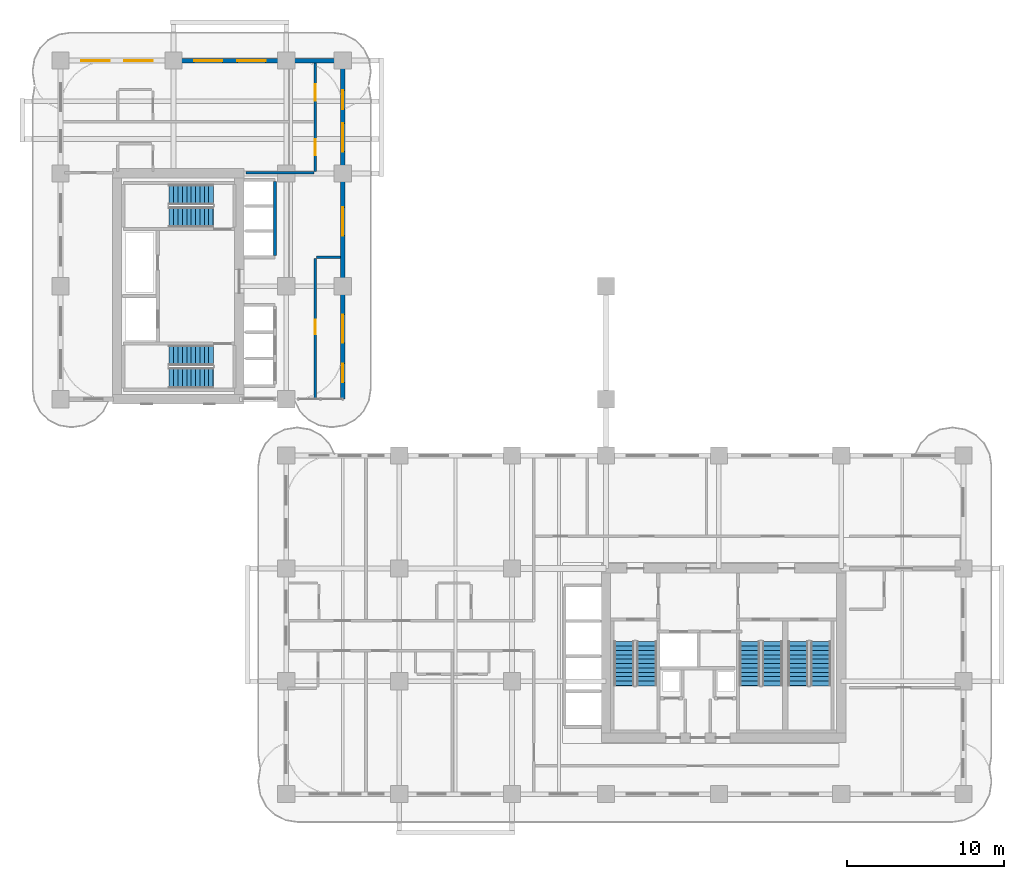
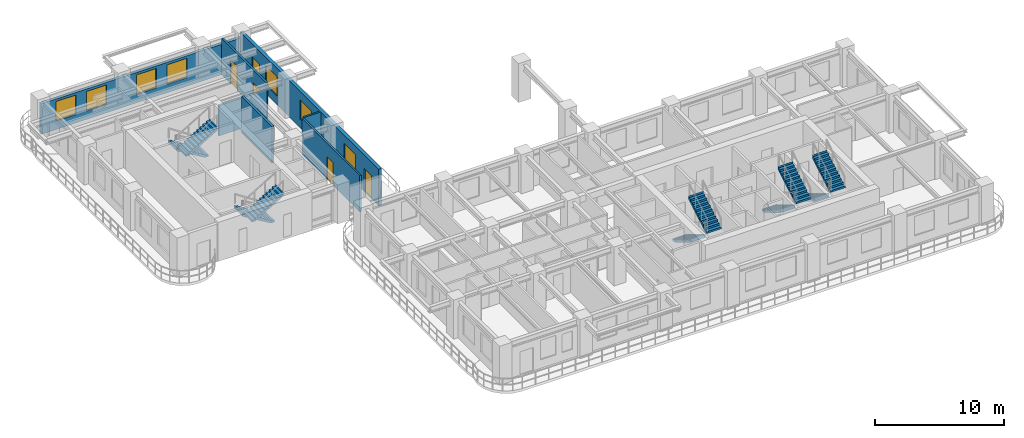
# One storey, part 11 of 18: 10 stair flights, 7 walls, 7 windows, 5 doors, 12 openings, 5 elements without a shape of their own.
"""IFC4 building model written with IfcOpenShell, lengths in metres."""

from ifc_helpers import new_model, si_unit, derived_unit, direction, frame, frame_2d, origin, place, context, subcontext, project, spatial, polyline, rectangle, outline, extrude, source, transform, mapped, material, layer, layer_set, type_object, type_shapes, element, fill, aggregate, save


model = new_model("IFC4")

# Units and contexts
model_context = context("Model", 3, precision=1e-05, world=origin(), true_north=direction((0.0, 1.0)))
body_context = subcontext(model_context, "Body", "Model", "MODEL_VIEW")
ifc_project = project(units=[si_unit("LENGTHUNIT", "METRE"), si_unit("AREAUNIT", "SQUARE_METRE"), si_unit("VOLUMEUNIT", "CUBIC_METRE"), si_unit("PLANEANGLEUNIT", "RADIAN"), si_unit("MASSUNIT", "GRAM", prefix="KILO"), si_unit("THERMODYNAMICTEMPERATUREUNIT", "KELVIN"), si_unit("POWERUNIT", "WATT"), derived_unit("THERMALTRANSMITTANCEUNIT", [(si_unit("POWERUNIT", "WATT"), 1), (si_unit("AREAUNIT", "SQUARE_METRE"), -1), (si_unit("THERMODYNAMICTEMPERATUREUNIT", "KELVIN"), -1)])], contexts=[model_context])

# Site, building, storey
site_placement = place(None, origin())
site = spatial("IfcSite", under=ifc_project, at=site_placement, CompositionType="ELEMENT")
building_placement = place(site_placement, origin())
building = spatial("IfcBuilding", under=site, at=building_placement, Name="Zahravan Archway Hotel and Residences", CompositionType="ELEMENT")
storey_placement = place(building_placement, frame((0.0, 0.0, 36.10009765625)))
storey = spatial("IfcBuildingStorey", under=building, at=storey_placement, Name="L07", CompositionType="ELEMENT", Elevation=36.10009765625)

# Wall, openings, doors, windows
ifc_material_1 = material(Name="Honed Red-Ochre Sandstone & Insulated Block", Category="masonry")
ifc_layer_1 = layer(ifc_material_1, 0.280029296875, Name="Honed Red-Ochre Sandstone & Insulated Block", Category="masonry")
ifc_layer_set_1 = layer_set([ifc_layer_1], Name="Honed Red-Ochre Sandstone & Insulated Block")
wall_type_1 = type_object("IfcWallType", Name="EW-LOG-280", PredefinedType="SOLIDWALL", material=ifc_layer_set_1)
wall_1_placement = place(storey_placement, frame((18.0, 25.199951171875, 0.0), z_axis=(0.0, 0.0, 1.0), x_axis=(0.0, 1.0, 0.0)))
wall_1 = element("IfcWall", 1, at=wall_1_placement, inside=storey, type_object=wall_type_1, Name="L07 Exterior Sandstone Wall WB-E", PredefinedType="SOLIDWALL", context=body_context, shape_type="SweptSolid", body=[
    extrude(rectangle(XDim=21.550048828125, YDim=0.280029296875, at=frame_2d((10.77490234375, 0.0))), origin(), (0.0, 0.0, 1.0), 3.449951171875),
])
opening_1_placement = place(wall_1_placement, frame((18.5, 0.0, 0.0)))
opening_1 = element("IfcOpeningElement", 2, at=opening_1_placement, cuts=wall_1, Name="Opening ED-BL1", PredefinedType="OPENING", context=body_context, shape_type="SweptSolid", body=[
    extrude(rectangle(XDim=1.199951171875, YDim=2.199951171875, at=frame_2d((0.60009765625, 1.10009765625))), frame((0.0, 0.14990234375, 0.0), z_axis=(0.0, -1.0, 0.0), x_axis=(1.0, 0.0, 0.0)), (0.0, 0.0, 1.0), 0.300048828125),
])
opening_2_placement = place(wall_1_placement, frame((1.070068359375, 0.0, 0.0)))
opening_2 = element("IfcOpeningElement", 3, at=opening_2_placement, cuts=wall_1, Name="Opening ED-BL1", PredefinedType="OPENING", context=body_context, shape_type="SweptSolid", body=[
    extrude(rectangle(XDim=1.199951171875, YDim=2.199951171875, at=frame_2d((0.60009765625, 1.10009765625))), frame((0.0, 0.14990234375, 0.0), z_axis=(0.0, -1.0, 0.0), x_axis=(1.0, 0.0, 0.0)), (0.0, 0.0, 1.0), 0.300048828125),
])
opening_3_placement = place(wall_1_placement, frame((3.5849609375, 0.0, 0.800048828125)))
opening_3 = element("IfcOpeningElement", 4, at=opening_3_placement, cuts=wall_1, Name="Opening W-02", PredefinedType="OPENING", context=body_context, shape_type="SweptSolid", body=[
    extrude(rectangle(XDim=1.800048828125, YDim=1.85009765625, at=frame_2d((0.89990234375, 0.925048828125))), frame((0.0, 0.14990234375, 0.0), z_axis=(0.0, -1.0, 0.0), x_axis=(1.0, 0.0, 0.0)), (0.0, 0.0, 1.0), 0.300048828125),
])
opening_4_placement = place(wall_1_placement, frame((10.427978515625, 0.0, 0.800048828125)))
opening_4 = element("IfcOpeningElement", 5, at=opening_4_placement, cuts=wall_1, Name="Opening W-02", PredefinedType="OPENING", context=body_context, shape_type="SweptSolid", body=[
    extrude(rectangle(XDim=1.800048828125, YDim=1.85009765625, at=frame_2d((0.89990234375, 0.925048828125))), frame((0.0, 0.14990234375, 0.0), z_axis=(0.0, -1.0, 0.0), x_axis=(1.0, 0.0, 0.0)), (0.0, 0.0, 1.0), 0.300048828125),
])
opening_5_placement = place(wall_1_placement, frame((15.800048828125, 0.0, 0.800048828125)))
opening_5 = element("IfcOpeningElement", 6, at=opening_5_placement, cuts=wall_1, Name="Opening W-02", PredefinedType="OPENING", context=body_context, shape_type="SweptSolid", body=[
    extrude(rectangle(XDim=1.800048828125, YDim=1.85009765625, at=frame_2d((0.89990234375, 0.925048828125))), frame((0.0, 0.14990234375, 0.0), z_axis=(0.0, -1.0, 0.0), x_axis=(1.0, 0.0, 0.0)), (0.0, 0.0, 1.0), 0.300048828125),
])
ifc_material_2 = material(Name="Bronze-Anodized Glazed Aluminium", Category="aluminium")
door_type_1 = type_object("IfcDoorType", Name="ED-BALC-1200", OperationType="SLIDING_TO_LEFT", PredefinedType="DOOR", material=ifc_material_2)
shared_shape_1 = source(origin(), body_context, "Body", "SweptSolid", [
    extrude(rectangle(XDim=1.199951171875, YDim=2.199951171875, at=frame_2d((0.60009765625, 1.10009765625))), frame((0.0, 0.02490234375, 0.0), z_axis=(0.0, -1.0, 0.0), x_axis=(1.0, 0.0, 0.0)), (0.0, 0.0, 1.0), 0.050048828125),
])
type_shapes(door_type_1, [shared_shape_1])
door_1_placement = place(opening_1_placement, origin())
door_1 = element("IfcDoor", 7, at=door_1_placement, inside=storey, type_object=door_type_1, Name="L07 Outdoor Access Sliding Door (SLB-BAL-L07-NB)", OperationType="SLIDING_TO_LEFT", OverallHeight=2.199951171875, OverallWidth=1.199951171875, PredefinedType="DOOR", context=body_context, shape_type="MappedRepresentation", body=[
    mapped(shared_shape_1, transform((0.0, 0.0, 0.0), scale=1.0)),
])
fill(opening_1, door_1)
door_2_placement = place(opening_2_placement, origin())
door_2 = element("IfcDoor", 8, at=door_2_placement, inside=storey, type_object=door_type_1, Name="L07 Outdoor Access Sliding Door (SLB-BAL-L07-EB)", OperationType="SLIDING_TO_LEFT", OverallHeight=2.199951171875, OverallWidth=1.199951171875, PredefinedType="DOOR", context=body_context, shape_type="MappedRepresentation", body=[
    mapped(shared_shape_1, transform((0.0, 0.0, 0.0), scale=1.0)),
])
fill(opening_2, door_2)
ifc_material_3 = material(Name="Bronze-Anodized Thermal-Break Aluminium & Low-E Glass", Category="aluminium")
window_type = type_object("IfcWindowType", Name="WIN-TWR-1800", PartitioningType="DOUBLE_PANEL_VERTICAL", PredefinedType="WINDOW", material=ifc_material_3)
shared_shape_2 = source(origin(), body_context, "Body", "SweptSolid", [
    extrude(rectangle(XDim=1.800048828125, YDim=1.85009765625, at=frame_2d((0.89990234375, 0.925048828125))), frame((0.0, 0.030029296875, 0.0), z_axis=(0.0, -1.0, 0.0), x_axis=(1.0, 0.0, 0.0)), (0.0, 0.0, 1.0), 0.06005859375),
])
type_shapes(window_type, [shared_shape_2])
window_1_placement = place(opening_3_placement, origin())
window_1 = element("IfcWindow", 9, at=window_1_placement, inside=storey, type_object=window_type, Name="L07 Loggia Window 34", OverallHeight=1.85009765625, OverallWidth=1.800048828125, PartitioningType="DOUBLE_PANEL_VERTICAL", PredefinedType="WINDOW", context=body_context, shape_type="MappedRepresentation", body=[
    mapped(shared_shape_2, transform((0.0, 0.0, 0.0), scale=1.0)),
])
fill(opening_3, window_1)
window_2_placement = place(opening_4_placement, origin())
window_2 = element("IfcWindow", 10, at=window_2_placement, inside=storey, type_object=window_type, Name="L07 Loggia Window 35", OverallHeight=1.85009765625, OverallWidth=1.800048828125, PartitioningType="DOUBLE_PANEL_VERTICAL", PredefinedType="WINDOW", context=body_context, shape_type="MappedRepresentation", body=[
    mapped(shared_shape_2, transform((0.0, 0.0, 0.0), scale=1.0)),
])
fill(opening_4, window_2)
window_3_placement = place(opening_5_placement, origin())
window_3 = element("IfcWindow", 11, at=window_3_placement, inside=storey, type_object=window_type, Name="L07 Loggia Window 36", OverallHeight=1.85009765625, OverallWidth=1.800048828125, PartitioningType="DOUBLE_PANEL_VERTICAL", PredefinedType="WINDOW", context=body_context, shape_type="MappedRepresentation", body=[
    mapped(shared_shape_2, transform((0.0, 0.0, 0.0), scale=1.0)),
])
fill(opening_5, window_3)

# Wall, openings, windows
wall_2_placement = place(storey_placement, frame((0.0, 46.800048828125, 0.0), z_axis=(0.0, 0.0, 1.0), x_axis=(1.0, 0.0, 0.0)))
wall_2 = element("IfcWall", 12, at=wall_2_placement, inside=storey, type_object=wall_type_1, Name="L07 Exterior Sandstone Wall WB-N", PredefinedType="SOLIDWALL", context=body_context, shape_type="SweptSolid", body=[
    extrude(rectangle(XDim=18.0, YDim=0.280029296875, at=frame_2d((9.0, 0.0))), origin(), (0.0, 0.0, 1.0), 2.885009765625),
])
opening_6_placement = place(wall_2_placement, frame((1.324951171875, 0.0, 0.800048828125)))
opening_6 = element("IfcOpeningElement", 13, at=opening_6_placement, cuts=wall_2, Name="Opening W-02", PredefinedType="OPENING", context=body_context, shape_type="SweptSolid", body=[
    extrude(rectangle(XDim=1.800048828125, YDim=1.85009765625, at=frame_2d((0.89990234375, 0.925048828125))), frame((0.0, 0.14990234375, 0.0), z_axis=(0.0, -1.0, 0.0), x_axis=(1.0, 0.0, 0.0)), (0.0, 0.0, 1.0), 0.300048828125),
])
opening_7_placement = place(wall_2_placement, frame((4.074951171875, 0.0, 0.800048828125)))
opening_7 = element("IfcOpeningElement", 14, at=opening_7_placement, cuts=wall_2, Name="Opening W-02", PredefinedType="OPENING", context=body_context, shape_type="SweptSolid", body=[
    extrude(rectangle(XDim=1.800048828125, YDim=1.85009765625, at=frame_2d((0.89990234375, 0.925048828125))), frame((0.0, 0.14990234375, 0.0), z_axis=(0.0, -1.0, 0.0), x_axis=(1.0, 0.0, 0.0)), (0.0, 0.0, 1.0), 0.300048828125),
])
opening_8_placement = place(wall_2_placement, frame((8.52490234375, 0.0, 0.800048828125)))
opening_8 = element("IfcOpeningElement", 15, at=opening_8_placement, cuts=wall_2, Name="Opening W-02", PredefinedType="OPENING", context=body_context, shape_type="SweptSolid", body=[
    extrude(rectangle(XDim=1.800048828125, YDim=1.85009765625, at=frame_2d((0.89990234375, 0.925048828125))), frame((0.0, 0.14990234375, 0.0), z_axis=(0.0, -1.0, 0.0), x_axis=(1.0, 0.0, 0.0)), (0.0, 0.0, 1.0), 0.300048828125),
])
opening_9_placement = place(wall_2_placement, frame((11.27490234375, 0.0, 0.800048828125)))
opening_9 = element("IfcOpeningElement", 16, at=opening_9_placement, cuts=wall_2, Name="Opening W-02", PredefinedType="OPENING", context=body_context, shape_type="SweptSolid", body=[
    extrude(rectangle(XDim=1.800048828125, YDim=1.85009765625, at=frame_2d((0.89990234375, 0.925048828125))), frame((0.0, 0.14990234375, 0.0), z_axis=(0.0, -1.0, 0.0), x_axis=(1.0, 0.0, 0.0)), (0.0, 0.0, 1.0), 0.300048828125),
])
window_4_placement = place(opening_6_placement, origin())
window_4 = element("IfcWindow", 17, at=window_4_placement, inside=storey, type_object=window_type, Name="L07 Loggia Window 37", OverallHeight=1.85009765625, OverallWidth=1.800048828125, PartitioningType="DOUBLE_PANEL_VERTICAL", PredefinedType="WINDOW", context=body_context, shape_type="MappedRepresentation", body=[
    mapped(shared_shape_2, transform((0.0, 0.0, 0.0), scale=1.0)),
])
fill(opening_6, window_4)
window_5_placement = place(opening_7_placement, origin())
window_5 = element("IfcWindow", 18, at=window_5_placement, inside=storey, type_object=window_type, Name="L07 Loggia Window 38", OverallHeight=1.85009765625, OverallWidth=1.800048828125, PartitioningType="DOUBLE_PANEL_VERTICAL", PredefinedType="WINDOW", context=body_context, shape_type="MappedRepresentation", body=[
    mapped(shared_shape_2, transform((0.0, 0.0, 0.0), scale=1.0)),
])
fill(opening_7, window_5)
window_6_placement = place(opening_8_placement, origin())
window_6 = element("IfcWindow", 19, at=window_6_placement, inside=storey, type_object=window_type, Name="L07 Loggia Window 39", OverallHeight=1.85009765625, OverallWidth=1.800048828125, PartitioningType="DOUBLE_PANEL_VERTICAL", PredefinedType="WINDOW", context=body_context, shape_type="MappedRepresentation", body=[
    mapped(shared_shape_2, transform((0.0, 0.0, 0.0), scale=1.0)),
])
fill(opening_8, window_6)
window_7_placement = place(opening_9_placement, origin())
window_7 = element("IfcWindow", 20, at=window_7_placement, inside=storey, type_object=window_type, Name="L07 Loggia Window 40", OverallHeight=1.85009765625, OverallWidth=1.800048828125, PartitioningType="DOUBLE_PANEL_VERTICAL", PredefinedType="WINDOW", context=body_context, shape_type="MappedRepresentation", body=[
    mapped(shared_shape_2, transform((0.0, 0.0, 0.0), scale=1.0)),
])
fill(opening_9, window_7)

# Wall, opening, door
ifc_material_4 = material(Name="Fire-Rated Gypsum & Concrete Block", Category="concrete")
ifc_layer_2 = layer(ifc_material_4, 0.159912109375, Name="Fire-Rated Gypsum & Concrete Block", Category="concrete")
ifc_layer_set_2 = layer_set([ifc_layer_2], Name="Fire-Rated Gypsum & Concrete Block")
wall_type_2 = type_object("IfcWallType", Name="PW-CORR-160", PredefinedType="PARTITIONING", material=ifc_layer_set_2)
wall_3_placement = place(storey_placement, frame((16.25, 25.22802734375, 0.0), z_axis=(0.0, 0.0, 1.0), x_axis=(0.0, 1.0, 0.0)))
wall_3 = element("IfcWall", 21, at=wall_3_placement, inside=storey, type_object=wall_type_2, Name="L07 Partition WB-CE", PredefinedType="PARTITIONING", context=body_context, shape_type="SweptSolid", body=[
    extrude(rectangle(XDim=8.931884765625, YDim=0.159912109375, at=frame_2d((4.4658203125, 0.0))), origin(), (0.0, 0.0, 1.0), 3.449951171875),
])
opening_10_placement = place(wall_3_placement, frame((4.096923828125, 0.0, 0.0)))
opening_10 = element("IfcOpeningElement", 22, at=opening_10_placement, cuts=wall_3, Name="Opening D-I1", PredefinedType="OPENING", context=body_context, shape_type="SweptSolid", body=[
    extrude(rectangle(XDim=0.949951171875, YDim=2.14990234375, at=frame_2d((0.47509765625, 1.074951171875))), frame((0.0, 0.08984375, 0.0), z_axis=(0.0, -1.0, 0.0), x_axis=(1.0, 0.0, 0.0)), (0.0, 0.0, 1.0), 0.179931640625),
])
ifc_material_5 = material(Name="Hardwood Veneer Timber", Category="wood")
door_type_2 = type_object("IfcDoorType", Name="ID-INT-950", OperationType="NOTDEFINED", PredefinedType="DOOR", material=ifc_material_5)
shared_shape_3 = source(origin(), body_context, "Body", "SweptSolid", [
    extrude(rectangle(XDim=0.949951171875, YDim=2.14990234375, at=frame_2d((0.47509765625, 1.074951171875))), frame((0.0, 0.02490234375, 0.0), z_axis=(0.0, -1.0, 0.0), x_axis=(1.0, 0.0, 0.0)), (0.0, 0.0, 1.0), 0.050048828125),
])
type_shapes(door_type_2, [shared_shape_3])
door_3_placement = place(opening_10_placement, origin())
door_3 = element("IfcDoor", 23, at=door_3_placement, inside=storey, type_object=door_type_2, Name="L07 Wing B Portal Study Door", OperationType="SINGLE_SWING_LEFT", OverallHeight=2.14990234375, OverallWidth=0.949951171875, PredefinedType="DOOR", context=body_context, shape_type="MappedRepresentation", body=[
    mapped(shared_shape_3, transform((0.0, 0.0, 0.0), scale=1.0)),
])
fill(opening_10, door_3)

# Wall
wall_4_placement = place(storey_placement, frame((16.340087890625, 34.25, 0.0), z_axis=(0.0, 0.0, 1.0), x_axis=(1.0, 0.0, 0.0)))
element("IfcWall", 24, at=wall_4_placement, inside=storey, type_object=wall_type_2, Name="L07 Partition WB-CS", PredefinedType="PARTITIONING", context=body_context, shape_type="SweptSolid", body=[
    extrude(rectangle(XDim=1.511962890625, YDim=0.159912109375, at=frame_2d((0.755859375, 0.0))), origin(), (0.0, 0.0, 1.0), 3.449951171875),
])

# Wall, openings, doors
wall_5_placement = place(storey_placement, frame((16.25, 39.739990234375, 0.0), z_axis=(0.0, 0.0, 1.0), x_axis=(0.0, 1.0, 0.0)))
wall_5 = element("IfcWall", 25, at=wall_5_placement, inside=storey, type_object=wall_type_2, Name="L07 Partition WB-CN", PredefinedType="PARTITIONING", context=body_context, shape_type="SweptSolid", body=[
    extrude(rectangle(XDim=6.912109375, YDim=0.159912109375, at=frame_2d((3.4560546875, 0.0))), origin(), (0.0, 0.0, 1.0), 3.449951171875),
])
opening_11_placement = place(wall_5_placement, frame((1.034912109375, 0.0, 0.0)))
opening_11 = element("IfcOpeningElement", 26, at=opening_11_placement, cuts=wall_5, Name="Opening D-U2", PredefinedType="OPENING", context=body_context, shape_type="SweptSolid", body=[
    extrude(rectangle(XDim=1.0, YDim=2.199951171875, at=frame_2d((0.5, 1.10009765625))), frame((0.0, 0.08984375, 0.0), z_axis=(0.0, -1.0, 0.0), x_axis=(1.0, 0.0, 0.0)), (0.0, 0.0, 1.0), 0.179931640625),
])
opening_12_placement = place(wall_5_placement, frame((4.510009765625, 0.0, 0.0)))
opening_12 = element("IfcOpeningElement", 27, at=opening_12_placement, cuts=wall_5, Name="Opening D-U1", PredefinedType="OPENING", context=body_context, shape_type="SweptSolid", body=[
    extrude(rectangle(XDim=1.050048828125, YDim=2.25, at=frame_2d((0.52490234375, 1.125))), frame((0.0, 0.08984375, 0.0), z_axis=(0.0, -1.0, 0.0), x_axis=(1.0, 0.0, 0.0)), (0.0, 0.0, 1.0), 0.179931640625),
])
door_type_3 = type_object("IfcDoorType", Name="ID-UNIT-1050", OperationType="NOTDEFINED", PredefinedType="DOOR", material=ifc_material_5)
shared_shape_4 = source(origin(), body_context, "Body", "SweptSolid", [
    extrude(rectangle(XDim=1.050048828125, YDim=2.25, at=frame_2d((0.52490234375, 1.125))), frame((0.0, 0.02490234375, 0.0), z_axis=(0.0, -1.0, 0.0), x_axis=(1.0, 0.0, 0.0)), (0.0, 0.0, 1.0), 0.050048828125),
])
type_shapes(door_type_3, [shared_shape_4])
door_4_placement = place(opening_12_placement, origin())
door_4 = element("IfcDoor", 28, at=door_4_placement, inside=storey, type_object=door_type_3, Name="L07 Hotel Guestroom 62 Entrance Door", OperationType="SINGLE_SWING_RIGHT", OverallHeight=2.25, OverallWidth=1.050048828125, PredefinedType="DOOR", context=body_context, shape_type="MappedRepresentation", body=[
    mapped(shared_shape_4, transform((0.0, 0.0, 0.0), scale=1.0)),
])
fill(opening_12, door_4)
door_type_4 = type_object("IfcDoorType", Name="ID-UNIT-1000", OperationType="NOTDEFINED", PredefinedType="DOOR", material=ifc_material_5)
shared_shape_5 = source(origin(), body_context, "Body", "SweptSolid", [
    extrude(rectangle(XDim=1.0, YDim=2.199951171875, at=frame_2d((0.5, 1.10009765625))), frame((0.0, 0.02490234375, 0.0), z_axis=(0.0, -1.0, 0.0), x_axis=(1.0, 0.0, 0.0)), (0.0, 0.0, 1.0), 0.050048828125),
])
type_shapes(door_type_4, [shared_shape_5])
door_5_placement = place(opening_11_placement, origin())
door_5 = element("IfcDoor", 29, at=door_5_placement, inside=storey, type_object=door_type_4, Name="L07 Hotel Guestroom 61 Entrance Door", OperationType="SINGLE_SWING_RIGHT", OverallHeight=2.199951171875, OverallWidth=1.0, PredefinedType="DOOR", context=body_context, shape_type="MappedRepresentation", body=[
    mapped(shared_shape_5, transform((0.0, 0.0, 0.0), scale=1.0)),
])
fill(opening_11, door_5)

# Walls
wall_6_placement = place(storey_placement, frame((11.840087890625, 39.64990234375, 0.0), z_axis=(0.0, 0.0, 1.0), x_axis=(1.0, 0.0, 0.0)))
element("IfcWall", 30, at=wall_6_placement, inside=storey, type_object=wall_type_2, Name="L07 Partition WB-NS2", PredefinedType="PARTITIONING", context=body_context, shape_type="SweptSolid", body=[
    extrude(rectangle(XDim=4.31982421875, YDim=0.159912109375, at=frame_2d((2.159912109375, 0.0))), origin(), (0.0, 0.0, 1.0), 2.885009765625),
])
ifc_layer_3 = layer(ifc_material_4, 0.199951171875, Name="Fire-Rated Gypsum & Concrete Block", Category="concrete")
ifc_layer_set_3 = layer_set([ifc_layer_3], Name="Fire-Rated Gypsum & Concrete Block")
wall_type_3 = type_object("IfcWallType", Name="PW-SHAFT-200", PredefinedType="PARTITIONING", material=ifc_layer_set_3)
wall_7_placement = place(storey_placement, frame((13.679931640625, 34.360107421875, 0.0), z_axis=(0.0, 0.0, 1.0), x_axis=(0.0, 1.0, 0.0)))
element("IfcWall", 31, at=wall_7_placement, inside=storey, type_object=wall_type_3, Name="L07 Partition B2-E", PredefinedType="PARTITIONING", context=body_context, shape_type="SweptSolid", body=[
    extrude(rectangle(XDim=4.719970703125, YDim=0.199951171875, at=frame_2d((2.35986328125, 0.0))), origin(), (0.0, 0.0, 1.0), 3.449951171875),
])

# Stair, stair flights
ifc_material_6 = material(Name="Concrete C50/60", Category="concrete")
stair_type = type_object("IfcStairType", Name="STR-CORE-1300", PredefinedType="HALF_TURN_STAIR", material=ifc_material_6)
stair_1_placement = place(storey_placement, origin())
stair_1 = element("IfcStair", 32, at=stair_1_placement, inside=storey, type_object=stair_type, Name="L07 Core A Exit Stair 1", PredefinedType="HALF_TURN_STAIR")
ifc_layer_4 = layer(ifc_material_6, 0.199951171875, Name="Concrete C50/60", Category="concrete")
ifc_layer_set_4 = layer_set([ifc_layer_4], Name="Concrete C50/60")
stair_flight_type = type_object("IfcStairFlightType", Name="SFL-CORE-1300", PredefinedType="STRAIGHT", material=ifc_layer_set_4)
shared_shape_6 = source(origin(), body_context, "Body", "SweptSolid", [
    extrude(outline(polyline([(-0.01611328125, 0.0), (-0.01611328125, 0.168212890625), (0.280029296875, 0.168212890625), (0.280029296875, 0.33642578125), (0.56005859375, 0.33642578125), (0.56005859375, 0.504638671875), (0.840087890625, 0.504638671875), (0.840087890625, 0.672607421875), (1.1201171875, 0.672607421875), (1.1201171875, 0.8408203125), (1.39990234375, 0.8408203125), (1.39990234375, 1.009033203125), (1.679931640625, 1.009033203125), (1.679931640625, 1.17724609375), (1.9599609375, 1.17724609375), (1.9599609375, 1.345458984375), (2.239990234375, 1.345458984375), (2.239990234375, 1.513671875), (2.52001953125, 1.513671875), (2.52001953125, 1.681884765625), (2.800048828125, 1.681884765625), (2.800048828125, 1.85009765625), (2.816162109375, 1.85009765625), (2.816162109375, 1.5068359375), (0.291015625, 0.0), (-0.01611328125, 0.0)])), frame((0.0, 0.64990234375, 0.0), z_axis=(0.0, -1.0, 0.0), x_axis=(1.0, 0.0, 0.0)), (0.0, 0.0, 1.0), 1.300048828125),
])
stair_flight_1_placement = place(storey_placement, frame((35.949951171875, 9.72998046875, 0.0), z_axis=(0.0, 0.0, 1.0), x_axis=(0.0, -1.0, 0.0)))
stair_flight_1 = element("IfcStairFlight", 33, at=stair_flight_1_placement, type_object=stair_flight_type, Name="ST-A1 flight 1", NumberOfRisers=11, NumberOfTreads=10, PredefinedType="STRAIGHT", RiserHeight=0.168181818, TreadLength=0.28, context=body_context, shape_type="MappedRepresentation", body=[
    mapped(shared_shape_6, transform((0.0, 0.0, 0.0), scale=1.0)),
])
stair_flight_2_placement = place(storey_placement, frame((37.389892578125, 6.929931640625, 1.849853515625), z_axis=(0.0, 0.0, 1.0), x_axis=(0.0, 1.0, 0.0)))
stair_flight_2 = element("IfcStairFlight", 34, at=stair_flight_2_placement, type_object=stair_flight_type, Name="ST-A1 flight 2", NumberOfRisers=11, NumberOfTreads=10, PredefinedType="STRAIGHT", RiserHeight=0.168181818, TreadLength=0.28, context=body_context, shape_type="MappedRepresentation", body=[
    mapped(shared_shape_6, transform((0.0, 0.0, 0.0), scale=1.0)),
])
aggregate(stair_1, [stair_flight_1, stair_flight_2])

stair_2_placement = place(storey_placement, origin())
stair_2 = element("IfcStair", 35, at=stair_2_placement, inside=storey, type_object=stair_type, Name="L07 Core A Exit Stair 2", PredefinedType="HALF_TURN_STAIR")
stair_flight_3_placement = place(storey_placement, frame((43.969970703125, 9.72998046875, 0.0), z_axis=(0.0, 0.0, 1.0), x_axis=(0.0, -1.0, 0.0)))
stair_flight_3 = element("IfcStairFlight", 36, at=stair_flight_3_placement, type_object=stair_flight_type, Name="ST-A2 flight 1", NumberOfRisers=11, NumberOfTreads=10, PredefinedType="STRAIGHT", RiserHeight=0.168181818, TreadLength=0.28, context=body_context, shape_type="MappedRepresentation", body=[
    mapped(shared_shape_6, transform((0.0, 0.0, 0.0), scale=1.0)),
])
stair_flight_4_placement = place(storey_placement, frame((45.409912109375, 6.929931640625, 1.849853515625), z_axis=(0.0, 0.0, 1.0), x_axis=(0.0, 1.0, 0.0)))
stair_flight_4 = element("IfcStairFlight", 37, at=stair_flight_4_placement, type_object=stair_flight_type, Name="ST-A2 flight 2", NumberOfRisers=11, NumberOfTreads=10, PredefinedType="STRAIGHT", RiserHeight=0.168181818, TreadLength=0.28, context=body_context, shape_type="MappedRepresentation", body=[
    mapped(shared_shape_6, transform((0.0, 0.0, 0.0), scale=1.0)),
])
aggregate(stair_2, [stair_flight_3, stair_flight_4])

stair_3_placement = place(storey_placement, origin())
stair_3 = element("IfcStair", 38, at=stair_3_placement, inside=storey, type_object=stair_type, Name="L07 Core A Exit Stair 3", PredefinedType="HALF_TURN_STAIR")
stair_flight_5_placement = place(storey_placement, frame((47.050048828125, 9.72998046875, 0.0), z_axis=(0.0, 0.0, 1.0), x_axis=(0.0, -1.0, 0.0)))
stair_flight_5 = element("IfcStairFlight", 39, at=stair_flight_5_placement, type_object=stair_flight_type, Name="ST-A3 flight 1", NumberOfRisers=11, NumberOfTreads=10, PredefinedType="STRAIGHT", RiserHeight=0.168181818, TreadLength=0.28, context=body_context, shape_type="MappedRepresentation", body=[
    mapped(shared_shape_6, transform((0.0, 0.0, 0.0), scale=1.0)),
])
stair_flight_6_placement = place(storey_placement, frame((48.489990234375, 6.929931640625, 1.849853515625), z_axis=(0.0, 0.0, 1.0), x_axis=(0.0, 1.0, 0.0)))
stair_flight_6 = element("IfcStairFlight", 40, at=stair_flight_6_placement, type_object=stair_flight_type, Name="ST-A3 flight 2", NumberOfRisers=11, NumberOfTreads=10, PredefinedType="STRAIGHT", RiserHeight=0.168181818, TreadLength=0.28, context=body_context, shape_type="MappedRepresentation", body=[
    mapped(shared_shape_6, transform((0.0, 0.0, 0.0), scale=1.0)),
])
aggregate(stair_3, [stair_flight_5, stair_flight_6])

stair_4_placement = place(storey_placement, origin())
stair_4 = element("IfcStair", 41, at=stair_4_placement, inside=storey, type_object=stair_type, Name="L07 Core B Exit Stair 1", PredefinedType="HALF_TURN_STAIR")
stair_flight_7_placement = place(storey_placement, frame((9.72998046875, 27.989990234375, 0.0), z_axis=(0.0, 0.0, 1.0), x_axis=(-1.0, 0.0, 0.0)))
stair_flight_7 = element("IfcStairFlight", 42, at=stair_flight_7_placement, type_object=stair_flight_type, Name="ST-B1 flight 1", NumberOfRisers=11, NumberOfTreads=10, PredefinedType="STRAIGHT", RiserHeight=0.168181818, TreadLength=0.28, context=body_context, shape_type="MappedRepresentation", body=[
    mapped(shared_shape_6, transform((0.0, 0.0, 0.0), scale=1.0)),
])
stair_flight_8_placement = place(storey_placement, frame((6.929931640625, 26.550048828125, 1.849853515625), z_axis=(0.0, 0.0, 1.0), x_axis=(1.0, 0.0, 0.0)))
stair_flight_8 = element("IfcStairFlight", 43, at=stair_flight_8_placement, type_object=stair_flight_type, Name="ST-B1 flight 2", NumberOfRisers=11, NumberOfTreads=10, PredefinedType="STRAIGHT", RiserHeight=0.168181818, TreadLength=0.28, context=body_context, shape_type="MappedRepresentation", body=[
    mapped(shared_shape_6, transform((0.0, 0.0, 0.0), scale=1.0)),
])
aggregate(stair_4, [stair_flight_7, stair_flight_8])

stair_5_placement = place(storey_placement, origin())
stair_5 = element("IfcStair", 44, at=stair_5_placement, inside=storey, type_object=stair_type, Name="L07 Core B Exit Stair 2", PredefinedType="HALF_TURN_STAIR")
stair_flight_9_placement = place(storey_placement, frame((9.72998046875, 38.25, 0.0), z_axis=(0.0, 0.0, 1.0), x_axis=(-1.0, 0.0, 0.0)))
stair_flight_9 = element("IfcStairFlight", 45, at=stair_flight_9_placement, type_object=stair_flight_type, Name="ST-B2 flight 1", NumberOfRisers=11, NumberOfTreads=10, PredefinedType="STRAIGHT", RiserHeight=0.168181818, TreadLength=0.28, context=body_context, shape_type="MappedRepresentation", body=[
    mapped(shared_shape_6, transform((0.0, 0.0, 0.0), scale=1.0)),
])
stair_flight_10_placement = place(storey_placement, frame((6.929931640625, 36.81005859375, 1.849853515625), z_axis=(0.0, 0.0, 1.0), x_axis=(1.0, 0.0, 0.0)))
stair_flight_10 = element("IfcStairFlight", 46, at=stair_flight_10_placement, type_object=stair_flight_type, Name="ST-B2 flight 2", NumberOfRisers=11, NumberOfTreads=10, PredefinedType="STRAIGHT", RiserHeight=0.168181818, TreadLength=0.28, context=body_context, shape_type="MappedRepresentation", body=[
    mapped(shared_shape_6, transform((0.0, 0.0, 0.0), scale=1.0)),
])
aggregate(stair_5, [stair_flight_9, stair_flight_10])

save(model, "model.ifc")
